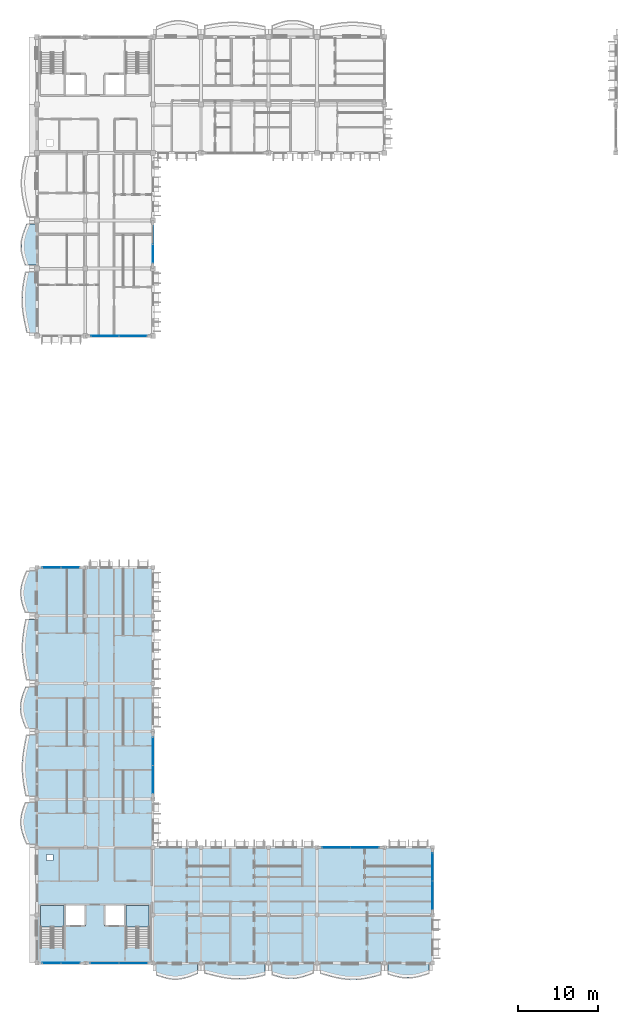
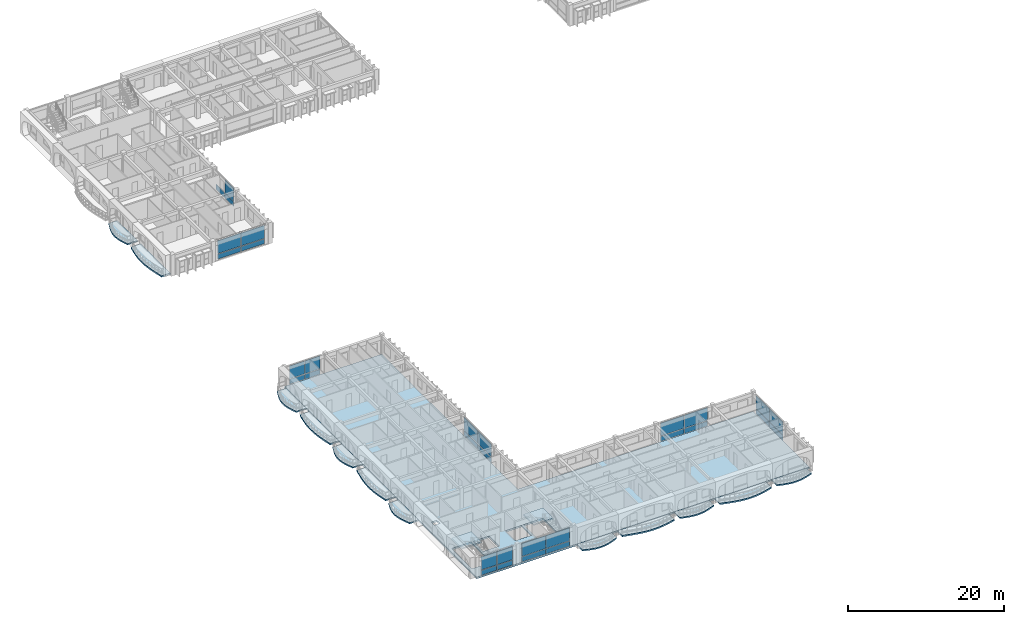
# One storey, part 18 of 68: 31 plates, 15 slabs, 10 elements without a shape of their own.
"""IFC4 building model written with IfcOpenShell, lengths in metres."""

from ifc_helpers import new_model, si_unit, direction, frame, origin, origin_2d, place, context, subcontext, project, spatial, polyline, rectangle, outline, extrude, material, layer, layer_set, type_object, element, aggregate, save


model = new_model("IFC4")

# Units and contexts
model_context = context("Model", 3, precision=1e-05, world=origin(), true_north=direction((0.0, 1.0)))
body_context = subcontext(model_context, "Body", "Model", "MODEL_VIEW")
ifc_project = project(units=[si_unit("LENGTHUNIT", "METRE"), si_unit("AREAUNIT", "SQUARE_METRE"), si_unit("VOLUMEUNIT", "CUBIC_METRE"), si_unit("PLANEANGLEUNIT", "RADIAN"), si_unit("MASSUNIT", "GRAM", prefix="KILO"), si_unit("THERMODYNAMICTEMPERATUREUNIT", "KELVIN")], contexts=[model_context])

# Site, building, storey
site_placement = place(None, origin())
site = spatial("IfcSite", under=ifc_project, at=site_placement, CompositionType="ELEMENT")
building_placement = place(site_placement, origin())
building = spatial("IfcBuilding", under=site, at=building_placement, Name="Thalorik Housing Commons", CompositionType="ELEMENT")
storey_placement = place(building_placement, frame((0.0, 0.0, 24.60009765625)))
storey = spatial("IfcBuildingStorey", under=building, at=storey_placement, Name="L07", CompositionType="ELEMENT", Elevation=24.60009765625)

# Curtain wall, plates
ifc_material_1 = material(Name="Anodised aluminium and solar-control low-E glass", Category="aluminium")
curtain_wall_type_1 = type_object("IfcCurtainWallType", Name="ARC-CW-LOUNGE", PredefinedType="USERDEFINED", material=ifc_material_1)
curtain_wall_1_placement = place(storey_placement, origin())
curtain_wall_1 = element("IfcCurtainWall", 1, at=curtain_wall_1_placement, inside=storey, type_object=curtain_wall_type_1, Name="L07 Curtain Wall CW-RES-L07-A-035", ObjectType="CURTAIN WALL", PredefinedType="USERDEFINED")
ifc_material_2 = material(Name="Cobalt blue enamelled aluminium spandrel panel", Category="aluminium")
ifc_layer_1 = layer(ifc_material_2, 0.0458984375, Name="Cobalt blue enamelled aluminium spandrel panel", Category="aluminium")
ifc_layer_set_1 = layer_set([ifc_layer_1], Name="Cobalt blue enamelled aluminium spandrel panel")
plate_type_1 = type_object("IfcPlateType", Name="ARC-CP-BLU-46", PredefinedType="CURTAIN_PANEL", material=ifc_layer_set_1)
plate_1_placement = place(storey_placement, frame((22.800048828125, 96.64990234375, 0.080078125), z_axis=(0.0, 0.0, 1.0), x_axis=(0.0, 1.0, 0.0)))
plate_1 = element("IfcPlate", 2, at=plate_1_placement, type_object=plate_type_1, Name="CW-RES-L07-A-035 Spandrel Panel 1", PredefinedType="CURTAIN_PANEL", context=body_context, shape_type="SweptSolid", body=[
    extrude(rectangle(XDim=2.239990234375, YDim=0.0458984375, at=origin_2d()), origin(), (0.0, 0.0, 1.0), 0.760009765625),
])
plate_2_placement = place(storey_placement, frame((22.800048828125, 98.949951171875, 0.080078125), z_axis=(0.0, 0.0, 1.0), x_axis=(0.0, 1.0, 0.0)))
plate_2 = element("IfcPlate", 3, at=plate_2_placement, type_object=plate_type_1, Name="CW-RES-L07-A-035 Spandrel Panel 2", PredefinedType="CURTAIN_PANEL", context=body_context, shape_type="SweptSolid", body=[
    extrude(rectangle(XDim=2.239990234375, YDim=0.0458984375, at=origin_2d()), origin(), (0.0, 0.0, 1.0), 0.760009765625),
])

curtain_wall_2_placement = place(storey_placement, origin())
curtain_wall_2 = element("IfcCurtainWall", 4, at=curtain_wall_2_placement, inside=storey, type_object=curtain_wall_type_1, Name="L07 Curtain Wall CW-RES-L07-C-155", ObjectType="CURTAIN WALL", PredefinedType="USERDEFINED")
plate_3_placement = place(storey_placement, frame((22.800048828125, 31.25, 0.080078125), z_axis=(0.0, 0.0, 1.0), x_axis=(0.0, 1.0, 0.0)))
plate_3 = element("IfcPlate", 5, at=plate_3_placement, type_object=plate_type_1, Name="CW-RES-L07-C-155 Spandrel Panel 1", PredefinedType="CURTAIN_PANEL", context=body_context, shape_type="SweptSolid", body=[
    extrude(rectangle(XDim=3.43994140625, YDim=0.0458984375, at=origin_2d()), origin(), (0.0, 0.0, 1.0), 0.760009765625),
])
plate_4_placement = place(storey_placement, frame((22.800048828125, 34.75, 0.080078125), z_axis=(0.0, 0.0, 1.0), x_axis=(0.0, 1.0, 0.0)))
plate_4 = element("IfcPlate", 6, at=plate_4_placement, type_object=plate_type_1, Name="CW-RES-L07-C-155 Spandrel Panel 2", PredefinedType="CURTAIN_PANEL", context=body_context, shape_type="SweptSolid", body=[
    extrude(rectangle(XDim=3.43994140625, YDim=0.0458984375, at=origin_2d()), origin(), (0.0, 0.0, 1.0), 0.760009765625),
])

curtain_wall_3_placement = place(storey_placement, origin())
curtain_wall_3 = element("IfcCurtainWall", 7, at=curtain_wall_3_placement, inside=storey, type_object=curtain_wall_type_1, Name="L07 Curtain Wall CW-RES-L07-C-160", ObjectType="CURTAIN WALL", PredefinedType="USERDEFINED")
plate_5_placement = place(storey_placement, frame((57.60009765625, 16.85009765625, 0.080078125), z_axis=(0.0, 0.0, 1.0), x_axis=(0.0, 1.0, 0.0)))
plate_5 = element("IfcPlate", 8, at=plate_5_placement, type_object=plate_type_1, Name="CW-RES-L07-C-160 Spandrel Panel 1", PredefinedType="CURTAIN_PANEL", context=body_context, shape_type="SweptSolid", body=[
    extrude(rectangle(XDim=3.43994140625, YDim=0.0458984375, at=origin_2d()), origin(), (0.0, 0.0, 1.0), 0.760009765625),
])
plate_6_placement = place(storey_placement, frame((57.60009765625, 20.35009765625, 0.080078125), z_axis=(0.0, 0.0, 1.0), x_axis=(0.0, 1.0, 0.0)))
plate_6 = element("IfcPlate", 9, at=plate_6_placement, type_object=plate_type_1, Name="CW-RES-L07-C-160 Spandrel Panel 2", PredefinedType="CURTAIN_PANEL", context=body_context, shape_type="SweptSolid", body=[
    extrude(rectangle(XDim=3.43994140625, YDim=0.0458984375, at=origin_2d()), origin(), (0.0, 0.0, 1.0), 0.760009765625),
])

curtain_wall_4_placement = place(storey_placement, origin())
curtain_wall_4 = element("IfcCurtainWall", 10, at=curtain_wall_4_placement, inside=storey, type_object=curtain_wall_type_1, Name="L07 Curtain Wall CW-RES-L07-A-034", ObjectType="CURTAIN WALL", PredefinedType="USERDEFINED")
ifc_material_3 = material(Name="Double solar-control low-E glass", Category="glass")
ifc_layer_2 = layer(ifc_material_3, 0.028076171875, Name="Double solar-control low-E glass", Category="glass")
ifc_layer_set_2 = layer_set([ifc_layer_2], Name="Double solar-control low-E glass")
plate_type_2 = type_object("IfcPlateType", Name="ARC-CP-GLZ-28", PredefinedType="CURTAIN_PANEL", material=ifc_layer_set_2)
plate_7_placement = place(storey_placement, frame((16.85009765625, 86.39990234375, 0.919921875), z_axis=(0.0, 0.0, 1.0), x_axis=(1.0, 0.0, 0.0)))
plate_7 = element("IfcPlate", 11, at=plate_7_placement, type_object=plate_type_2, Name="CW-RES-L07-A-034 Vision Panel 1", PredefinedType="CURTAIN_PANEL", context=body_context, shape_type="SweptSolid", body=[
    extrude(rectangle(XDim=3.43994140625, YDim=0.028076171875, at=origin_2d()), origin(), (0.0, 0.0, 1.0), 2.0400390625),
])
plate_8_placement = place(storey_placement, frame((20.35009765625, 86.39990234375, 0.919921875), z_axis=(0.0, 0.0, 1.0), x_axis=(1.0, 0.0, 0.0)))
plate_8 = element("IfcPlate", 12, at=plate_8_placement, type_object=plate_type_2, Name="CW-RES-L07-A-034 Vision Panel 2", PredefinedType="CURTAIN_PANEL", context=body_context, shape_type="SweptSolid", body=[
    extrude(rectangle(XDim=3.43994140625, YDim=0.028076171875, at=origin_2d()), origin(), (0.0, 0.0, 1.0), 2.0400390625),
])

# Plate
plate_9_placement = place(storey_placement, frame((22.800048828125, 96.64990234375, 0.919921875), z_axis=(0.0, 0.0, 1.0), x_axis=(0.0, 1.0, 0.0)))
plate_9 = element("IfcPlate", 13, at=plate_9_placement, type_object=plate_type_2, Name="CW-RES-L07-A-035 Vision Panel 1", PredefinedType="CURTAIN_PANEL", context=body_context, shape_type="SweptSolid", body=[
    extrude(rectangle(XDim=2.239990234375, YDim=0.028076171875, at=origin_2d()), origin(), (0.0, 0.0, 1.0), 2.0400390625),
])

aggregate(curtain_wall_1, [plate_1, plate_9, plate_2])

plate_10_placement = place(storey_placement, frame((22.800048828125, 31.25, 0.919921875), z_axis=(0.0, 0.0, 1.0), x_axis=(0.0, 1.0, 0.0)))
plate_10 = element("IfcPlate", 14, at=plate_10_placement, type_object=plate_type_2, Name="CW-RES-L07-C-155 Vision Panel 1", PredefinedType="CURTAIN_PANEL", context=body_context, shape_type="SweptSolid", body=[
    extrude(rectangle(XDim=3.43994140625, YDim=0.028076171875, at=origin_2d()), origin(), (0.0, 0.0, 1.0), 2.0400390625),
])

plate_11_placement = place(storey_placement, frame((22.800048828125, 34.75, 0.919921875), z_axis=(0.0, 0.0, 1.0), x_axis=(0.0, 1.0, 0.0)))
plate_11 = element("IfcPlate", 15, at=plate_11_placement, type_object=plate_type_2, Name="CW-RES-L07-C-155 Vision Panel 2", PredefinedType="CURTAIN_PANEL", context=body_context, shape_type="SweptSolid", body=[
    extrude(rectangle(XDim=3.43994140625, YDim=0.028076171875, at=origin_2d()), origin(), (0.0, 0.0, 1.0), 2.0400390625),
])

aggregate(curtain_wall_2, [plate_3, plate_10, plate_4, plate_11])

# Curtain wall, plates
curtain_wall_5_placement = place(storey_placement, origin())
curtain_wall_5 = element("IfcCurtainWall", 16, at=curtain_wall_5_placement, inside=storey, type_object=curtain_wall_type_1, Name="L07 Curtain Wall CW-RES-L07-C-156", ObjectType="CURTAIN WALL", PredefinedType="USERDEFINED")
plate_12_placement = place(storey_placement, frame((12.550048828125, 57.60009765625, 0.919921875), z_axis=(0.0, 0.0, 1.0), x_axis=(-1.0, 0.0, 0.0)))
plate_12 = element("IfcPlate", 17, at=plate_12_placement, type_object=plate_type_2, Name="CW-RES-L07-C-156 Vision Panel 1", PredefinedType="CURTAIN_PANEL", context=body_context, shape_type="SweptSolid", body=[
    extrude(rectangle(XDim=2.239990234375, YDim=0.028076171875, at=origin_2d()), origin(), (0.0, 0.0, 1.0), 2.0400390625),
])
plate_13_placement = place(storey_placement, frame((10.25, 57.60009765625, 0.919921875), z_axis=(0.0, 0.0, 1.0), x_axis=(-1.0, 0.0, 0.0)))
plate_13 = element("IfcPlate", 18, at=plate_13_placement, type_object=plate_type_2, Name="CW-RES-L07-C-156 Vision Panel 2", PredefinedType="CURTAIN_PANEL", context=body_context, shape_type="SweptSolid", body=[
    extrude(rectangle(XDim=2.239990234375, YDim=0.028076171875, at=origin_2d()), origin(), (0.0, 0.0, 1.0), 2.0400390625),
])

curtain_wall_type_2 = type_object("IfcCurtainWallType", Name="ARC-CW-CORE", PredefinedType="USERDEFINED", material=ifc_material_1)
curtain_wall_6_placement = place(storey_placement, origin())
curtain_wall_6 = element("IfcCurtainWall", 19, at=curtain_wall_6_placement, inside=storey, type_object=curtain_wall_type_2, Name="L07 Curtain Wall CW-CORE-L07-C-158", ObjectType="CURTAIN WALL", PredefinedType="USERDEFINED")
plate_14_placement = place(storey_placement, frame((10.22509765625, 8.39990234375, 0.919921875), z_axis=(0.0, 0.0, 1.0), x_axis=(1.0, 0.0, 0.0)))
plate_14 = element("IfcPlate", 20, at=plate_14_placement, type_object=plate_type_2, Name="CW-CORE-L07-C-158 Vision Panel 1", PredefinedType="CURTAIN_PANEL", context=body_context, shape_type="SweptSolid", body=[
    extrude(rectangle(XDim=2.2900390625, YDim=0.028076171875, at=origin_2d()), origin(), (0.0, 0.0, 1.0), 2.0400390625),
])
plate_15_placement = place(storey_placement, frame((12.574951171875, 8.39990234375, 0.919921875), z_axis=(0.0, 0.0, 1.0), x_axis=(1.0, 0.0, 0.0)))
plate_15 = element("IfcPlate", 21, at=plate_15_placement, type_object=plate_type_2, Name="CW-CORE-L07-C-158 Vision Panel 2", PredefinedType="CURTAIN_PANEL", context=body_context, shape_type="SweptSolid", body=[
    extrude(rectangle(XDim=2.2900390625, YDim=0.028076171875, at=origin_2d()), origin(), (0.0, 0.0, 1.0), 2.0400390625),
])

curtain_wall_7_placement = place(storey_placement, origin())
curtain_wall_7 = element("IfcCurtainWall", 22, at=curtain_wall_7_placement, inside=storey, type_object=curtain_wall_type_2, Name="L07 Curtain Wall CW-CORE-L07-C-159", ObjectType="CURTAIN WALL", PredefinedType="USERDEFINED")
plate_16_placement = place(storey_placement, frame((16.824951171875, 8.39990234375, 0.919921875), z_axis=(0.0, 0.0, 1.0), x_axis=(1.0, 0.0, 0.0)))
plate_16 = element("IfcPlate", 23, at=plate_16_placement, type_object=plate_type_2, Name="CW-CORE-L07-C-159 Vision Panel 1", PredefinedType="CURTAIN_PANEL", context=body_context, shape_type="SweptSolid", body=[
    extrude(rectangle(XDim=3.489990234375, YDim=0.028076171875, at=origin_2d()), origin(), (0.0, 0.0, 1.0), 2.0400390625),
])
plate_17_placement = place(storey_placement, frame((20.375, 8.39990234375, 0.919921875), z_axis=(0.0, 0.0, 1.0), x_axis=(1.0, 0.0, 0.0)))
plate_17 = element("IfcPlate", 24, at=plate_17_placement, type_object=plate_type_2, Name="CW-CORE-L07-C-159 Vision Panel 2", PredefinedType="CURTAIN_PANEL", context=body_context, shape_type="SweptSolid", body=[
    extrude(rectangle(XDim=3.489990234375, YDim=0.028076171875, at=origin_2d()), origin(), (0.0, 0.0, 1.0), 2.0400390625),
])

# Plate
plate_18_placement = place(storey_placement, frame((57.60009765625, 16.85009765625, 0.919921875), z_axis=(0.0, 0.0, 1.0), x_axis=(0.0, 1.0, 0.0)))
plate_18 = element("IfcPlate", 25, at=plate_18_placement, type_object=plate_type_2, Name="CW-RES-L07-C-160 Vision Panel 1", PredefinedType="CURTAIN_PANEL", context=body_context, shape_type="SweptSolid", body=[
    extrude(rectangle(XDim=3.43994140625, YDim=0.028076171875, at=origin_2d()), origin(), (0.0, 0.0, 1.0), 2.0400390625),
])

plate_19_placement = place(storey_placement, frame((57.60009765625, 20.35009765625, 0.919921875), z_axis=(0.0, 0.0, 1.0), x_axis=(0.0, 1.0, 0.0)))
plate_19 = element("IfcPlate", 26, at=plate_19_placement, type_object=plate_type_2, Name="CW-RES-L07-C-160 Vision Panel 2", PredefinedType="CURTAIN_PANEL", context=body_context, shape_type="SweptSolid", body=[
    extrude(rectangle(XDim=3.43994140625, YDim=0.028076171875, at=origin_2d()), origin(), (0.0, 0.0, 1.0), 2.0400390625),
])

aggregate(curtain_wall_3, [plate_5, plate_18, plate_6, plate_19])

# Curtain wall, plates
curtain_wall_8_placement = place(storey_placement, origin())
curtain_wall_8 = element("IfcCurtainWall", 27, at=curtain_wall_8_placement, inside=storey, type_object=curtain_wall_type_1, Name="L07 Curtain Wall CW-RES-L07-C-161", ObjectType="CURTAIN WALL", PredefinedType="USERDEFINED")
plate_20_placement = place(storey_placement, frame((49.14990234375, 22.800048828125, 0.919921875), z_axis=(0.0, 0.0, 1.0), x_axis=(-1.0, 0.0, 0.0)))
plate_20 = element("IfcPlate", 28, at=plate_20_placement, type_object=plate_type_2, Name="CW-RES-L07-C-161 Vision Panel 1", PredefinedType="CURTAIN_PANEL", context=body_context, shape_type="SweptSolid", body=[
    extrude(rectangle(XDim=3.43994140625, YDim=0.028076171875, at=origin_2d()), origin(), (0.0, 0.0, 1.0), 2.0400390625),
])
plate_21_placement = place(storey_placement, frame((45.64990234375, 22.800048828125, 0.919921875), z_axis=(0.0, 0.0, 1.0), x_axis=(-1.0, 0.0, 0.0)))
plate_21 = element("IfcPlate", 29, at=plate_21_placement, type_object=plate_type_2, Name="CW-RES-L07-C-161 Vision Panel 2", PredefinedType="CURTAIN_PANEL", context=body_context, shape_type="SweptSolid", body=[
    extrude(rectangle(XDim=3.43994140625, YDim=0.028076171875, at=origin_2d()), origin(), (0.0, 0.0, 1.0), 2.0400390625),
])

# Plate
ifc_material_4 = material(Name="Oxide red enamelled aluminium spandrel panel", Category="aluminium")
ifc_layer_3 = layer(ifc_material_4, 0.0419921875, Name="Oxide red enamelled aluminium spandrel panel", Category="aluminium")
ifc_layer_set_3 = layer_set([ifc_layer_3], Name="Oxide red enamelled aluminium spandrel panel")
plate_type_3 = type_object("IfcPlateType", Name="ARC-CP-RED-42", PredefinedType="CURTAIN_PANEL", material=ifc_layer_set_3)
plate_22_placement = place(storey_placement, frame((12.550048828125, 57.60009765625, 0.080078125), z_axis=(0.0, 0.0, 1.0), x_axis=(-1.0, 0.0, 0.0)))
plate_22 = element("IfcPlate", 30, at=plate_22_placement, type_object=plate_type_3, Name="CW-RES-L07-C-156 Spandrel Panel 1", PredefinedType="CURTAIN_PANEL", context=body_context, shape_type="SweptSolid", body=[
    extrude(rectangle(XDim=2.239990234375, YDim=0.0419921875, at=origin_2d()), origin(), (0.0, 0.0, 1.0), 0.760009765625),
])

plate_23_placement = place(storey_placement, frame((10.25, 57.60009765625, 0.080078125), z_axis=(0.0, 0.0, 1.0), x_axis=(-1.0, 0.0, 0.0)))
plate_23 = element("IfcPlate", 31, at=plate_23_placement, type_object=plate_type_3, Name="CW-RES-L07-C-156 Spandrel Panel 2", PredefinedType="CURTAIN_PANEL", context=body_context, shape_type="SweptSolid", body=[
    extrude(rectangle(XDim=2.239990234375, YDim=0.0419921875, at=origin_2d()), origin(), (0.0, 0.0, 1.0), 0.760009765625),
])

aggregate(curtain_wall_5, [plate_22, plate_12, plate_23, plate_13])

plate_24_placement = place(storey_placement, frame((16.824951171875, 8.39990234375, 0.080078125), z_axis=(0.0, 0.0, 1.0), x_axis=(1.0, 0.0, 0.0)))
plate_24 = element("IfcPlate", 32, at=plate_24_placement, type_object=plate_type_3, Name="CW-CORE-L07-C-159 Spandrel Panel 1", PredefinedType="CURTAIN_PANEL", context=body_context, shape_type="SweptSolid", body=[
    extrude(rectangle(XDim=3.489990234375, YDim=0.0419921875, at=origin_2d()), origin(), (0.0, 0.0, 1.0), 0.760009765625),
])

plate_25_placement = place(storey_placement, frame((20.375, 8.39990234375, 0.080078125), z_axis=(0.0, 0.0, 1.0), x_axis=(1.0, 0.0, 0.0)))
plate_25 = element("IfcPlate", 33, at=plate_25_placement, type_object=plate_type_3, Name="CW-CORE-L07-C-159 Spandrel Panel 2", PredefinedType="CURTAIN_PANEL", context=body_context, shape_type="SweptSolid", body=[
    extrude(rectangle(XDim=3.489990234375, YDim=0.0419921875, at=origin_2d()), origin(), (0.0, 0.0, 1.0), 0.760009765625),
])

aggregate(curtain_wall_7, [plate_24, plate_16, plate_25, plate_17])

plate_26_placement = place(storey_placement, frame((49.14990234375, 22.800048828125, 0.080078125), z_axis=(0.0, 0.0, 1.0), x_axis=(-1.0, 0.0, 0.0)))
plate_26 = element("IfcPlate", 34, at=plate_26_placement, type_object=plate_type_3, Name="CW-RES-L07-C-161 Spandrel Panel 1", PredefinedType="CURTAIN_PANEL", context=body_context, shape_type="SweptSolid", body=[
    extrude(rectangle(XDim=3.43994140625, YDim=0.0419921875, at=origin_2d()), origin(), (0.0, 0.0, 1.0), 0.760009765625),
])

plate_27_placement = place(storey_placement, frame((45.64990234375, 22.800048828125, 0.080078125), z_axis=(0.0, 0.0, 1.0), x_axis=(-1.0, 0.0, 0.0)))
plate_27 = element("IfcPlate", 35, at=plate_27_placement, type_object=plate_type_3, Name="CW-RES-L07-C-161 Spandrel Panel 2", PredefinedType="CURTAIN_PANEL", context=body_context, shape_type="SweptSolid", body=[
    extrude(rectangle(XDim=3.43994140625, YDim=0.0419921875, at=origin_2d()), origin(), (0.0, 0.0, 1.0), 0.760009765625),
])

aggregate(curtain_wall_8, [plate_26, plate_20, plate_27, plate_21])

ifc_material_5 = material(Name="Mineral ochre yellow aluminium spandrel panel", Category="aluminium")
ifc_layer_4 = layer(ifc_material_5, 0.050048828125, Name="Mineral ochre yellow aluminium spandrel panel", Category="aluminium")
ifc_layer_set_4 = layer_set([ifc_layer_4], Name="Mineral ochre yellow aluminium spandrel panel")
plate_type_4 = type_object("IfcPlateType", Name="ARC-CP-YEL-50", PredefinedType="CURTAIN_PANEL", material=ifc_layer_set_4)
plate_28_placement = place(storey_placement, frame((16.85009765625, 86.39990234375, 0.080078125), z_axis=(0.0, 0.0, 1.0), x_axis=(1.0, 0.0, 0.0)))
plate_28 = element("IfcPlate", 36, at=plate_28_placement, type_object=plate_type_4, Name="CW-RES-L07-A-034 Spandrel Panel 1", PredefinedType="CURTAIN_PANEL", context=body_context, shape_type="SweptSolid", body=[
    extrude(rectangle(XDim=3.43994140625, YDim=0.050048828125, at=origin_2d()), origin(), (0.0, 0.0, 1.0), 0.760009765625),
])

plate_29_placement = place(storey_placement, frame((20.35009765625, 86.39990234375, 0.080078125), z_axis=(0.0, 0.0, 1.0), x_axis=(1.0, 0.0, 0.0)))
plate_29 = element("IfcPlate", 37, at=plate_29_placement, type_object=plate_type_4, Name="CW-RES-L07-A-034 Spandrel Panel 2", PredefinedType="CURTAIN_PANEL", context=body_context, shape_type="SweptSolid", body=[
    extrude(rectangle(XDim=3.43994140625, YDim=0.050048828125, at=origin_2d()), origin(), (0.0, 0.0, 1.0), 0.760009765625),
])

aggregate(curtain_wall_4, [plate_28, plate_7, plate_29, plate_8])

plate_30_placement = place(storey_placement, frame((10.22509765625, 8.39990234375, 0.080078125), z_axis=(0.0, 0.0, 1.0), x_axis=(1.0, 0.0, 0.0)))
plate_30 = element("IfcPlate", 38, at=plate_30_placement, type_object=plate_type_4, Name="CW-CORE-L07-C-158 Spandrel Panel 1", PredefinedType="CURTAIN_PANEL", context=body_context, shape_type="SweptSolid", body=[
    extrude(rectangle(XDim=2.2900390625, YDim=0.050048828125, at=origin_2d()), origin(), (0.0, 0.0, 1.0), 0.760009765625),
])

plate_31_placement = place(storey_placement, frame((12.574951171875, 8.39990234375, 0.080078125), z_axis=(0.0, 0.0, 1.0), x_axis=(1.0, 0.0, 0.0)))
plate_31 = element("IfcPlate", 39, at=plate_31_placement, type_object=plate_type_4, Name="CW-CORE-L07-C-158 Spandrel Panel 2", PredefinedType="CURTAIN_PANEL", context=body_context, shape_type="SweptSolid", body=[
    extrude(rectangle(XDim=2.2900390625, YDim=0.050048828125, at=origin_2d()), origin(), (0.0, 0.0, 1.0), 0.760009765625),
])

aggregate(curtain_wall_6, [plate_30, plate_14, plate_31, plate_15])

# Stair, slab
ifc_material_6 = material(Name="Precast concrete C40/50", Category="concrete")
stair_type = type_object("IfcStairType", Name="ARC-STR-1350-R20", PredefinedType="HALF_TURN_STAIR", material=ifc_material_6)
stair_1_placement = place(storey_placement, origin())
stair_1 = element("IfcStair", 40, at=stair_1_placement, inside=storey, type_object=stair_type, Name="L07 Block C Smoke-Proof Stair 1", PredefinedType="HALF_TURN_STAIR")
ifc_layer_5 = layer(ifc_material_6, 0.199951171875, Name="Precast concrete C40/50", Category="concrete")
ifc_layer_set_5 = layer_set([ifc_layer_5], Name="Precast concrete C40/50")
slab_type_1 = type_object("IfcSlabType", Name="ARC-SLB-STLND-200", PredefinedType="LANDING", material=ifc_layer_set_5)
slab_1_placement = place(storey_placement, frame((0.0, 0.0, 1.449951171875)))
slab_1 = element("IfcSlab", 41, at=slab_1_placement, type_object=slab_type_1, Name="ST-C1 landing 1", PredefinedType="LANDING", context=body_context, shape_type="SweptSolid", body=[
    extrude(outline(polyline([(11.75, 12.909912109375), (11.75, 15.550048828125), (8.85009765625, 15.550048828125), (8.85009765625, 12.909912109375), (11.75, 12.909912109375)])), origin(), (0.0, 0.0, 1.0), 0.199951171875),
])
aggregate(stair_1, [slab_1])

stair_2_placement = place(storey_placement, origin())
stair_2 = element("IfcStair", 42, at=stair_2_placement, inside=storey, type_object=stair_type, Name="L07 Block C Smoke-Proof Stair 2", PredefinedType="HALF_TURN_STAIR")
slab_2_placement = place(storey_placement, frame((0.0, 0.0, 1.449951171875)))
slab_2 = element("IfcSlab", 43, at=slab_2_placement, type_object=slab_type_1, Name="ST-C2 landing 1", PredefinedType="LANDING", context=body_context, shape_type="SweptSolid", body=[
    extrude(outline(polyline([(22.35009765625, 12.909912109375), (22.35009765625, 15.550048828125), (19.449951171875, 15.550048828125), (19.449951171875, 12.909912109375), (22.35009765625, 12.909912109375)])), origin(), (0.0, 0.0, 1.0), 0.199951171875),
])
aggregate(stair_2, [slab_2])

# Slabs
ifc_layer_6 = layer(ifc_material_6, 0.199951171875, Name="Precast concrete C40/50", Category="concrete")
ifc_layer_set_6 = layer_set([ifc_layer_6], Name="Precast concrete C40/50")
slab_type_2 = type_object("IfcSlabType", Name="STR-SLB-BALC-200", PredefinedType="FLOOR", material=ifc_layer_set_6)
slab_3_placement = place(storey_placement, frame((0.0, 0.0, -0.2001953125)))
element("IfcSlab", 44, at=slab_3_placement, inside=storey, type_object=slab_type_2, Name="L07 Block A Cushion Balcony 53", PredefinedType="FLOOR", context=body_context, shape_type="SweptSolid", body=[
    extrude(outline(polyline([(8.39990234375, 95.219970703125), (8.39990234375, 100.3798828125), (7.110595703125, 100.3798828125), (6.934326171875, 99.949951171875), (6.7666015625, 99.52001953125), (6.618408203125, 99.090087890625), (6.498779296875, 98.659912109375), (6.41552734375, 98.22998046875), (6.37353515625, 97.800048828125), (6.37451171875, 97.3701171875), (6.418212890625, 96.93994140625), (6.501220703125, 96.510009765625), (6.61669921875, 96.080078125), (6.757080078125, 95.64990234375), (6.912109375, 95.219970703125), (8.39990234375, 95.219970703125)])), origin(), (0.0, 0.0, 1.0), 0.2001953125),
])
slab_4_placement = place(storey_placement, frame((0.0, 0.0, -0.2001953125)))
element("IfcSlab", 45, at=slab_4_placement, inside=storey, type_object=slab_type_2, Name="L07 Block C Cushion Balcony 301", PredefinedType="FLOOR", context=body_context, shape_type="SweptSolid", body=[
    extrude(outline(polyline([(8.39990234375, 23.219970703125), (8.39990234375, 28.3798828125), (6.918701171875, 28.3798828125), (6.7548828125, 27.949951171875), (6.606201171875, 27.52001953125), (6.482177734375, 27.090087890625), (6.391845703125, 26.659912109375), (6.341552734375, 26.22998046875), (6.3349609375, 25.800048828125), (6.372802734375, 25.3701171875), (6.45361328125, 24.93994140625), (6.572021484375, 24.510009765625), (6.720703125, 24.080078125), (6.890625, 23.64990234375), (7.07080078125, 23.219970703125), (8.39990234375, 23.219970703125)])), origin(), (0.0, 0.0, 1.0), 0.2001953125),
])
slab_5_placement = place(storey_placement, frame((0.0, 0.0, -0.2001953125)))
element("IfcSlab", 46, at=slab_5_placement, inside=storey, type_object=slab_type_2, Name="L07 Block C Cushion Balcony 303", PredefinedType="FLOOR", context=body_context, shape_type="SweptSolid", body=[
    extrude(outline(polyline([(8.39990234375, 37.6201171875), (8.39990234375, 42.780029296875), (6.979736328125, 42.780029296875), (6.80224609375, 42.35009765625), (6.637939453125, 41.919921875), (6.49755859375, 41.489990234375), (6.390380859375, 41.06005859375), (6.322998046875, 40.6298828125), (6.300048828125, 40.199951171875), (6.322998046875, 39.77001953125), (6.390380859375, 39.340087890625), (6.49755859375, 38.909912109375), (6.637939453125, 38.47998046875), (6.80224609375, 38.050048828125), (6.979736328125, 37.6201171875), (8.39990234375, 37.6201171875)])), origin(), (0.0, 0.0, 1.0), 0.2001953125),
])
slab_6_placement = place(storey_placement, frame((0.0, 0.0, -0.2001953125)))
element("IfcSlab", 47, at=slab_6_placement, inside=storey, type_object=slab_type_2, Name="L07 Block C Cushion Balcony 305", PredefinedType="FLOOR", context=body_context, shape_type="SweptSolid", body=[
    extrude(outline(polyline([(8.39990234375, 52.02001953125), (8.39990234375, 57.179931640625), (7.07080078125, 57.179931640625), (6.890625, 56.75), (6.720703125, 56.320068359375), (6.572021484375, 55.889892578125), (6.45361328125, 55.4599609375), (6.372802734375, 55.030029296875), (6.3349609375, 54.60009765625), (6.341552734375, 54.169921875), (6.391845703125, 53.739990234375), (6.482177734375, 53.31005859375), (6.606201171875, 52.8798828125), (6.7548828125, 52.449951171875), (6.918701171875, 52.02001953125), (8.39990234375, 52.02001953125)])), origin(), (0.0, 0.0, 1.0), 0.2001953125),
])
slab_7_placement = place(storey_placement, frame((0.0, 0.0, -0.2001953125)))
element("IfcSlab", 48, at=slab_7_placement, inside=storey, type_object=slab_type_2, Name="L07 Block C Cushion Balcony 306", PredefinedType="FLOOR", context=body_context, shape_type="SweptSolid", body=[
    extrude(outline(polyline([(23.219970703125, 6.912109375), (23.64990234375, 6.757080078125), (24.080078125, 6.61669921875), (24.510009765625, 6.501220703125), (24.93994140625, 6.418212890625), (25.3701171875, 6.37451171875), (25.800048828125, 6.37353515625), (26.22998046875, 6.41552734375), (26.659912109375, 6.498779296875), (27.090087890625, 6.618408203125), (27.52001953125, 6.7666015625), (27.949951171875, 6.934326171875), (28.3798828125, 7.110595703125), (28.3798828125, 8.39990234375), (23.219970703125, 8.39990234375), (23.219970703125, 6.912109375)])), origin(), (0.0, 0.0, 1.0), 0.2001953125),
])
slab_8_placement = place(storey_placement, frame((0.0, 0.0, -0.2001953125)))
element("IfcSlab", 49, at=slab_8_placement, inside=storey, type_object=slab_type_2, Name="L07 Block C Cushion Balcony 308", PredefinedType="FLOOR", context=body_context, shape_type="SweptSolid", body=[
    extrude(outline(polyline([(37.6201171875, 6.951416015625), (38.050048828125, 6.810791015625), (38.47998046875, 6.683349609375), (38.909912109375, 6.578125), (39.340087890625, 6.503173828125), (39.77001953125, 6.464111328125), (40.199951171875, 6.464599609375), (40.6298828125, 6.505126953125), (41.06005859375, 6.583740234375), (41.489990234375, 6.6953125), (41.919921875, 6.833251953125), (42.35009765625, 6.98828125), (42.780029296875, 7.14990234375), (42.780029296875, 8.39990234375), (37.6201171875, 8.39990234375), (37.6201171875, 6.951416015625)])), origin(), (0.0, 0.0, 1.0), 0.2001953125),
])
slab_9_placement = place(storey_placement, frame((0.0, 0.0, -0.2001953125)))
element("IfcSlab", 50, at=slab_9_placement, inside=storey, type_object=slab_type_2, Name="L07 Block C Cushion Balcony 310", PredefinedType="FLOOR", context=body_context, shape_type="SweptSolid", body=[
    extrude(outline(polyline([(52.02001953125, 7.037109375), (52.449951171875, 6.90087890625), (52.8798828125, 6.7744140625), (53.31005859375, 6.6669921875), (53.739990234375, 6.586669921875), (54.169921875, 6.539306640625), (54.60009765625, 6.52880859375), (55.030029296875, 6.556396484375), (55.4599609375, 6.6201171875), (55.889892578125, 6.715576171875), (56.320068359375, 6.83642578125), (56.75, 6.974365234375), (57.179931640625, 7.119384765625), (57.179931640625, 8.39990234375), (52.02001953125, 8.39990234375), (52.02001953125, 7.037109375)])), origin(), (0.0, 0.0, 1.0), 0.2001953125),
])
ifc_layer_7 = layer(ifc_material_6, 0.219970703125, Name="Precast concrete C40/50", Category="concrete")
ifc_layer_set_7 = layer_set([ifc_layer_7], Name="Precast concrete C40/50")
slab_type_3 = type_object("IfcSlabType", Name="STR-SLB-BALC-220", PredefinedType="FLOOR", material=ifc_layer_set_7)
slab_10_placement = place(storey_placement, frame((0.0, 0.0, -0.22021484375)))
element("IfcSlab", 51, at=slab_10_placement, inside=storey, type_object=slab_type_3, Name="L07 Block A Cushion Balcony 52", PredefinedType="FLOOR", context=body_context, shape_type="SweptSolid", body=[
    extrude(outline(polyline([(8.39990234375, 86.820068359375), (8.39990234375, 94.3798828125), (6.9404296875, 94.3798828125), (6.806396484375, 93.75), (6.688232421875, 93.1201171875), (6.593505859375, 92.489990234375), (6.52880859375, 91.860107421875), (6.498046875, 91.22998046875), (6.503173828125, 90.60009765625), (6.543701171875, 89.969970703125), (6.61669921875, 89.340087890625), (6.71728515625, 88.7099609375), (6.838134765625, 88.080078125), (6.971435546875, 87.449951171875), (7.1083984375, 86.820068359375), (8.39990234375, 86.820068359375)])), origin(), (0.0, 0.0, 1.0), 0.22021484375),
])
slab_11_placement = place(storey_placement, frame((0.0, 0.0, -0.22021484375)))
element("IfcSlab", 52, at=slab_11_placement, inside=storey, type_object=slab_type_3, Name="L07 Block C Cushion Balcony 302", PredefinedType="FLOOR", context=body_context, shape_type="SweptSolid", body=[
    extrude(outline(polyline([(8.39990234375, 29.219970703125), (8.39990234375, 36.780029296875), (7.06787109375, 36.780029296875), (6.938720703125, 36.14990234375), (6.8154296875, 35.52001953125), (6.706298828125, 34.889892578125), (6.618408203125, 34.260009765625), (6.55810546875, 33.6298828125), (6.52880859375, 33.0), (6.533203125, 32.3701171875), (6.57080078125, 31.739990234375), (6.639404296875, 31.110107421875), (6.734375, 30.47998046875), (6.849365234375, 29.85009765625), (6.97705078125, 29.219970703125), (8.39990234375, 29.219970703125)])), origin(), (0.0, 0.0, 1.0), 0.22021484375),
])
slab_12_placement = place(storey_placement, frame((0.0, 0.0, -0.22021484375)))
element("IfcSlab", 53, at=slab_12_placement, inside=storey, type_object=slab_type_3, Name="L07 Block C Cushion Balcony 304", PredefinedType="FLOOR", context=body_context, shape_type="SweptSolid", body=[
    extrude(outline(polyline([(8.39990234375, 43.6201171875), (8.39990234375, 51.179931640625), (6.97705078125, 51.179931640625), (6.849365234375, 50.550048828125), (6.734375, 49.919921875), (6.639404296875, 49.2900390625), (6.57080078125, 48.659912109375), (6.533203125, 48.030029296875), (6.52880859375, 47.39990234375), (6.55810546875, 46.77001953125), (6.618408203125, 46.139892578125), (6.706298828125, 45.510009765625), (6.8154296875, 44.8798828125), (6.938720703125, 44.25), (7.06787109375, 43.6201171875), (8.39990234375, 43.6201171875)])), origin(), (0.0, 0.0, 1.0), 0.22021484375),
])
slab_13_placement = place(storey_placement, frame((0.0, 0.0, -0.22021484375)))
element("IfcSlab", 54, at=slab_13_placement, inside=storey, type_object=slab_type_3, Name="L07 Block C Cushion Balcony 307", PredefinedType="FLOOR", context=body_context, shape_type="SweptSolid", body=[
    extrude(outline(polyline([(29.219970703125, 7.149658203125), (29.85009765625, 6.9892578125), (30.47998046875, 6.8310546875), (31.110107421875, 6.685546875), (31.739990234375, 6.563232421875), (32.3701171875, 6.47216796875), (33.0, 6.4189453125), (33.6298828125, 6.40771484375), (34.260009765625, 6.438720703125), (34.889892578125, 6.510986328125), (35.52001953125, 6.618896484375), (36.14990234375, 6.755859375), (36.780029296875, 6.912353515625), (36.780029296875, 8.39990234375), (29.219970703125, 8.39990234375), (29.219970703125, 7.149658203125)])), origin(), (0.0, 0.0, 1.0), 0.22021484375),
])
slab_14_placement = place(storey_placement, frame((0.0, 0.0, -0.22021484375)))
element("IfcSlab", 55, at=slab_14_placement, inside=storey, type_object=slab_type_3, Name="L07 Block C Cushion Balcony 309", PredefinedType="FLOOR", context=body_context, shape_type="SweptSolid", body=[
    extrude(outline(polyline([(43.6201171875, 7.12158203125), (44.25, 6.938720703125), (44.8798828125, 6.76171875), (45.510009765625, 6.602783203125), (46.139892578125, 6.47314453125), (46.77001953125, 6.381591796875), (47.39990234375, 6.3349609375), (48.030029296875, 6.3359375), (48.659912109375, 6.38525390625), (49.2900390625, 6.479248046875), (49.919921875, 6.61181640625), (50.550048828125, 6.773681640625), (51.179931640625, 6.95361328125), (51.179931640625, 8.39990234375), (43.6201171875, 8.39990234375), (43.6201171875, 7.12158203125)])), origin(), (0.0, 0.0, 1.0), 0.22021484375),
])
ifc_material_7 = material(Name="Precast concrete C45/55", Category="concrete")
ifc_layer_8 = layer(ifc_material_7, 0.260009765625, Name="Precast concrete C45/55", Category="concrete")
ifc_layer_set_8 = layer_set([ifc_layer_8], Name="Precast concrete C45/55")
slab_type_4 = type_object("IfcSlabType", Name="STR-SLB-HC-260", PredefinedType="FLOOR", material=ifc_layer_set_8)
slab_15_placement = place(storey_placement, frame((0.0, 0.0, -0.260009765625)))
element("IfcSlab", 56, at=slab_15_placement, inside=storey, type_object=slab_type_4, Name="L07 Residential Block C Floor Slab", PredefinedType="FLOOR", context=body_context, shape_type="SweptSolid", body=[
    extrude(outline(polyline([(8.39990234375, 8.39990234375), (22.800048828125, 8.39990234375), (57.60009765625, 8.39990234375), (57.60009765625, 22.800048828125), (22.800048828125, 22.800048828125), (22.800048828125, 57.60009765625), (8.39990234375, 57.60009765625), (8.39990234375, 8.39990234375)]), holes=[polyline([(11.75, 10.35009765625), (8.85009765625, 10.35009765625), (8.85009765625, 15.550048828125), (11.75, 15.550048828125), (11.75, 10.35009765625)]), polyline([(19.449951171875, 10.35009765625), (19.449951171875, 15.550048828125), (22.35009765625, 15.550048828125), (22.35009765625, 10.35009765625), (19.449951171875, 10.35009765625)]), polyline([(14.39990234375, 15.550048828125), (14.39990234375, 13.0), (12.0, 13.0), (12.0, 15.550048828125), (14.39990234375, 15.550048828125)]), polyline([(19.199951171875, 13.0), (16.800048828125, 13.0), (16.800048828125, 15.550048828125), (19.199951171875, 15.550048828125), (19.199951171875, 13.0)]), polyline([(9.550048828125, 21.14990234375), (9.550048828125, 21.949951171875), (10.35009765625, 21.949951171875), (10.35009765625, 21.14990234375), (9.550048828125, 21.14990234375)])]), origin(), (0.0, 0.0, 1.0), 0.260009765625),
])

save(model, "model.ifc")
